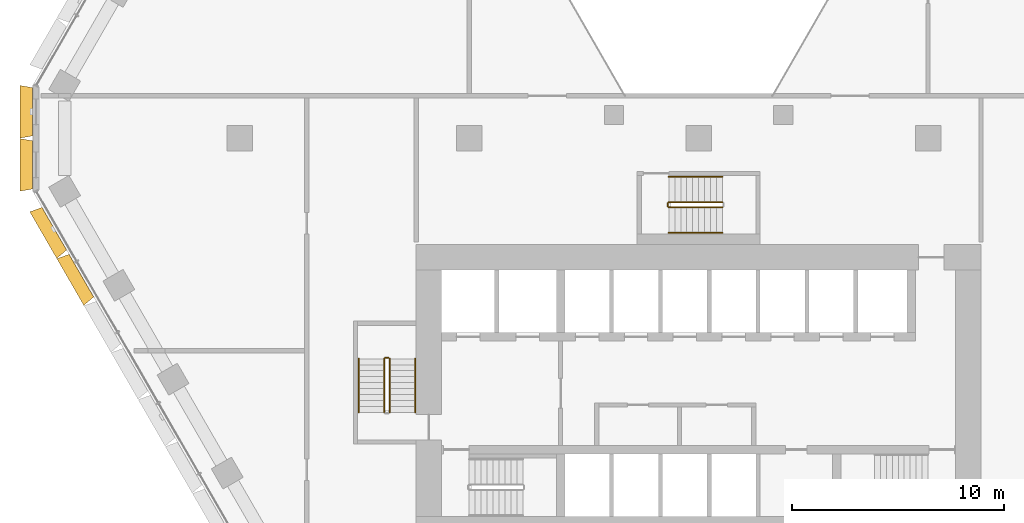
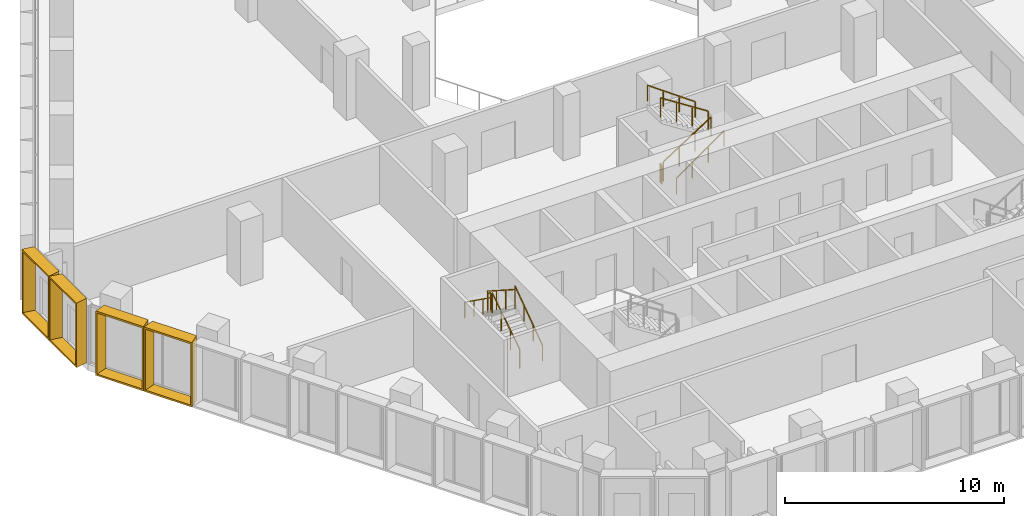
# One storey, part 23 of 25: 10 railings, 4 shading devices.
"""IFC4 building model written with IfcOpenShell, lengths in metres."""

from ifc_helpers import new_model, entity, si_unit, direction, frame, origin, origin_2d, place, context, subcontext, project, spatial, rectangle, extrude, source, transform, mapped, material, type_object, type_shapes, element, save


model = new_model("IFC4")

# Units and contexts
model_context = context("Model", 3, precision=1e-05, world=origin(), true_north=direction((0.0, 1.0)))
body_context = subcontext(model_context, "Body", "Model", "MODEL_VIEW")
ifc_project = project(units=[si_unit("LENGTHUNIT", "METRE"), si_unit("AREAUNIT", "SQUARE_METRE"), si_unit("VOLUMEUNIT", "CUBIC_METRE"), si_unit("PLANEANGLEUNIT", "RADIAN"), si_unit("MASSUNIT", "GRAM", prefix="KILO")], contexts=[model_context])

# Site, building, storey
site_placement = place(None, origin())
site = spatial("IfcSite", under=ifc_project, at=site_placement, CompositionType="ELEMENT")
building_placement = place(site_placement, origin())
building = spatial("IfcBuilding", under=site, at=building_placement, Name="Beryl Residences", CompositionType="ELEMENT")
storey_placement = place(building_placement, frame((0.0, 0.0, 16.199951171875)))
storey = spatial("IfcBuildingStorey", under=building, at=storey_placement, Name="L04", CompositionType="ELEMENT", Elevation=16.199951171875)

# Shading devices
ifc_material_1 = material(Name="Aluminium pale anodised", Category="aluminium")
shading_device_type_1 = type_object("IfcShadingDeviceType", Name="FR250-60A-H36 OUTER SKIN frame 600 mm deep, splay 10/10 deg, 2500 x 3600 mm cell", PredefinedType="USERDEFINED", material=ifc_material_1)
cartesian_point_1 = entity("IfcCartesianPoint", [-1.134033203125, 0.0])
cartesian_point_2 = entity("IfcCartesianPoint", [-1.052734375, 0.10009765625])
cartesian_point_3 = entity("IfcCartesianPoint", [-1.23974609375, 0.0])
cartesian_point_4 = entity("IfcCartesianPoint", [-1.158447265625, 0.10009765625])
shared_shape_1 = source(origin(), body_context, "Body", "SweptSolid", [
    entity("IfcExtrudedAreaSolidTapered", entity("IfcArbitraryProfileDefWithVoids", "AREA", None, entity("IfcPolyline", [cartesian_point_1, entity("IfcCartesianPoint", [1.134033203125, 0.0]), entity("IfcCartesianPoint", [1.134033203125, 3.60009765625]), entity("IfcCartesianPoint", [-1.134033203125, 3.60009765625]), cartesian_point_1]), [entity("IfcPolyline", [cartesian_point_2, entity("IfcCartesianPoint", [1.052734375, 0.10009765625]), entity("IfcCartesianPoint", [1.052734375, 3.5]), entity("IfcCartesianPoint", [-1.052734375, 3.5]), cartesian_point_2])]), entity("IfcAxis2Placement3D", entity("IfcCartesianPoint", [0.0, 0.0, 0.0]), entity("IfcDirection", [0.0, 1.0, 0.0]), entity("IfcDirection", [-1.0, 0.0, 0.0])), entity("IfcDirection", [0.0, 0.0, 1.0]), 0.60009765625, entity("IfcArbitraryProfileDefWithVoids", "AREA", None, entity("IfcPolyline", [cartesian_point_3, entity("IfcCartesianPoint", [1.23974609375, 0.0]), entity("IfcCartesianPoint", [1.23974609375, 3.60009765625]), entity("IfcCartesianPoint", [-1.23974609375, 3.60009765625]), cartesian_point_3]), [entity("IfcPolyline", [cartesian_point_4, entity("IfcCartesianPoint", [1.158447265625, 0.10009765625]), entity("IfcCartesianPoint", [1.158447265625, 3.5]), entity("IfcCartesianPoint", [-1.158447265625, 3.5]), cartesian_point_4])])),
])
type_shapes(shading_device_type_1, [shared_shape_1])
for number, where, z_axis, x_axis, name in (
    (1, (-31.35009765625, 1.25, 0.0), (0.0, 0.0, 1.0), (0.0, 1.0, 0.0), "FR250-60A-H36 frame L04 NW-SW 1"),
    (2, (-31.35009765625, -1.25, 0.0), (0.0, 0.0, 1.0), (0.0, 1.0, 0.0), "FR250-60A-H36 frame L04 NW-SW 2"),
):
    element("IfcShadingDevice", number, at=place(storey_placement, frame(where, z_axis=z_axis, x_axis=x_axis)), inside=storey, type_object=shading_device_type_1, Name=name, ObjectType="OUTER SKIN", PredefinedType="USERDEFINED", context=body_context, shape_type="MappedRepresentation", body=[
        mapped(shared_shape_1, transform((0.0, 0.0, 0.0))),
    ])
ifc_material_2 = material(Name="Aluminium pale anodised", Category="aluminium")
shading_device_type_2 = type_object("IfcShadingDeviceType", Name="FR255-60A-H36 OUTER SKIN frame 600 mm deep, splay 10/10 deg, 2550 x 3600 mm cell", PredefinedType="USERDEFINED", material=ifc_material_2)
cartesian_point_5 = entity("IfcCartesianPoint", [-1.158935546875, 0.0])
cartesian_point_6 = entity("IfcCartesianPoint", [-1.077880859375, 0.10009765625])
cartesian_point_7 = entity("IfcCartesianPoint", [-1.264892578125, 0.0])
cartesian_point_8 = entity("IfcCartesianPoint", [-1.18359375, 0.10009765625])
shared_shape_2 = source(origin(), body_context, "Body", "SweptSolid", [
    entity("IfcExtrudedAreaSolidTapered", entity("IfcArbitraryProfileDefWithVoids", "AREA", None, entity("IfcPolyline", [cartesian_point_5, entity("IfcCartesianPoint", [1.158935546875, 0.0]), entity("IfcCartesianPoint", [1.158935546875, 3.60009765625]), entity("IfcCartesianPoint", [-1.158935546875, 3.60009765625]), cartesian_point_5]), [entity("IfcPolyline", [cartesian_point_6, entity("IfcCartesianPoint", [1.077880859375, 0.10009765625]), entity("IfcCartesianPoint", [1.077880859375, 3.5]), entity("IfcCartesianPoint", [-1.077880859375, 3.5]), cartesian_point_6])]), entity("IfcAxis2Placement3D", entity("IfcCartesianPoint", [0.0, 0.0, 0.0]), entity("IfcDirection", [0.0, 1.0, 0.0]), entity("IfcDirection", [-1.0, 0.0, 0.0])), entity("IfcDirection", [0.0, 0.0, 1.0]), 0.60009765625, entity("IfcArbitraryProfileDefWithVoids", "AREA", None, entity("IfcPolyline", [cartesian_point_7, entity("IfcCartesianPoint", [1.264892578125, 0.0]), entity("IfcCartesianPoint", [1.264892578125, 3.60009765625]), entity("IfcCartesianPoint", [-1.264892578125, 3.60009765625]), cartesian_point_7]), [entity("IfcPolyline", [cartesian_point_8, entity("IfcCartesianPoint", [1.18359375, 0.10009765625]), entity("IfcCartesianPoint", [1.18359375, 3.5]), entity("IfcCartesianPoint", [-1.18359375, 3.5]), cartesian_point_8])])),
])
type_shapes(shading_device_type_2, [shared_shape_2])
for number, where, z_axis, x_axis, name in (
    (3, (-30.3359375, -4.2548828125, 0.0), (0.0, 0.0, 1.0), (-0.5, 0.866025403784, 0.0), "FR255-60A-H36 frame L04 SW 1"),
    (4, (-29.06005859375, -6.465087890625, 0.0), (0.0, 0.0, 1.0), (-0.5, 0.866025403784, 0.0), "FR255-60A-H36 frame L04 SW 2"),
):
    element("IfcShadingDevice", number, at=place(storey_placement, frame(where, z_axis=z_axis, x_axis=x_axis)), inside=storey, type_object=shading_device_type_2, Name=name, ObjectType="OUTER SKIN", PredefinedType="USERDEFINED", context=body_context, shape_type="MappedRepresentation", body=[
        mapped(shared_shape_2, transform((0.0, 0.0, 0.0))),
    ])

# Railings
ifc_material_3 = material(Name="Stainless steel balustrade with glass infill", Category="steel")
railing_type_1 = type_object("IfcRailingType", Name="SG1 stair guard 1100 mm", PredefinedType="GUARDRAIL", material=ifc_material_3)
railing_1_placement = place(storey_placement, frame((-14.550048828125, -12.89990234375, 0.179931640625)))
element("IfcRailing", 5, at=railing_1_placement, inside=storey, type_object=railing_type_1, Name="L04 ST-2 stair guard 1", PredefinedType="GUARDRAIL", context=body_context, shape_type="SweptSolid", body=[
    extrude(rectangle(XDim=0.048095703125, YDim=0.048095703125, at=origin_2d()), frame((0.0, 0.0, 1.076171875), z_axis=(0.0, 0.841162588446, 0.540782303519), x_axis=(-1.0, 0.0, 0.0)), (0.0, 0.0, 1.0), 2.995849609375),
    extrude(rectangle(XDim=0.0419921875, YDim=0.0419921875, at=origin_2d()), origin(), (0.0, 0.0, 1.0), 1.052001953125),
    extrude(rectangle(XDim=0.0419921875, YDim=0.0419921875, at=origin_2d()), frame((0.0, 0.840087890625, 0.5400390625)), (0.0, 0.0, 1.0), 1.052001953125),
    extrude(rectangle(XDim=0.0419921875, YDim=0.0419921875, at=origin_2d()), frame((0.0, 1.679931640625, 1.080078125)), (0.0, 0.0, 1.0), 1.052001953125),
    extrude(rectangle(XDim=0.0419921875, YDim=0.0419921875, at=origin_2d()), frame((0.0, 2.52001953125, 1.6201171875)), (0.0, 0.0, 1.0), 1.052001953125),
])
railing_2_placement = place(storey_placement, frame((-14.60009765625, -10.330078125, 1.800048828125)))
element("IfcRailing", 6, at=railing_2_placement, inside=storey, type_object=railing_type_1, Name="L04 ST-2 stair guard 2", PredefinedType="GUARDRAIL", context=body_context, shape_type="SweptSolid", body=[
    extrude(rectangle(XDim=0.048095703125, YDim=0.048095703125, at=origin_2d()), frame((0.0, 0.0, 1.076171875), z_axis=(-1.0, 0.0, 0.0), x_axis=(0.0, -1.0, 0.0)), (0.0, 0.0, 1.0), 0.14990234375),
    extrude(rectangle(XDim=0.0419921875, YDim=0.0419921875, at=origin_2d()), origin(), (0.0, 0.0, 1.0), 1.052001953125),
    extrude(rectangle(XDim=0.0419921875, YDim=0.0419921875, at=origin_2d()), frame((-0.14990234375, 0.0, 0.0)), (0.0, 0.0, 1.0), 1.052001953125),
])
railing_3_placement = place(storey_placement, frame((-14.800048828125, -10.3798828125, 1.97998046875)))
element("IfcRailing", 7, at=railing_3_placement, inside=storey, type_object=railing_type_1, Name="L04 ST-2 stair guard 3", PredefinedType="GUARDRAIL", context=body_context, shape_type="SweptSolid", body=[
    extrude(rectangle(XDim=0.048095703125, YDim=0.048095703125, at=origin_2d()), frame((0.0, 0.0, 1.076171875), z_axis=(0.0, -0.841162588446, 0.540782303519), x_axis=(1.0, 0.0, 0.0)), (0.0, 0.0, 1.0), 2.995849609375),
    extrude(rectangle(XDim=0.0419921875, YDim=0.0419921875, at=origin_2d()), origin(), (0.0, 0.0, 1.0), 1.052001953125),
    extrude(rectangle(XDim=0.0419921875, YDim=0.0419921875, at=origin_2d()), frame((0.0, -0.840087890625, 0.5400390625)), (0.0, 0.0, 1.0), 1.052001953125),
    extrude(rectangle(XDim=0.0419921875, YDim=0.0419921875, at=origin_2d()), frame((0.0, -1.679931640625, 1.080078125)), (0.0, 0.0, 1.0), 1.052001953125),
    extrude(rectangle(XDim=0.0419921875, YDim=0.0419921875, at=origin_2d()), frame((0.0, -2.52001953125, 1.6201171875)), (0.0, 0.0, 1.0), 1.052001953125),
])
railing_4_placement = place(storey_placement, frame((-1.39990234375, -3.25, 0.179931640625)))
element("IfcRailing", 8, at=railing_4_placement, inside=storey, type_object=railing_type_1, Name="L04 ST-4 stair guard 1", PredefinedType="GUARDRAIL", context=body_context, shape_type="SweptSolid", body=[
    extrude(rectangle(XDim=0.048095703125, YDim=0.048095703125, at=origin_2d()), frame((0.0, 0.0, 1.076171875), z_axis=(0.841162588446, 0.0, 0.540782303519), x_axis=(0.0, 1.0, 0.0)), (0.0, 0.0, 1.0), 2.995849609375),
    extrude(rectangle(XDim=0.0419921875, YDim=0.0419921875, at=origin_2d()), origin(), (0.0, 0.0, 1.0), 1.052001953125),
    extrude(rectangle(XDim=0.0419921875, YDim=0.0419921875, at=origin_2d()), frame((0.840087890625, 0.0, 0.5400390625)), (0.0, 0.0, 1.0), 1.052001953125),
    extrude(rectangle(XDim=0.0419921875, YDim=0.0419921875, at=origin_2d()), frame((1.679931640625, 0.0, 1.080078125)), (0.0, 0.0, 1.0), 1.052001953125),
    extrude(rectangle(XDim=0.0419921875, YDim=0.0419921875, at=origin_2d()), frame((2.52001953125, 0.0, 1.6201171875)), (0.0, 0.0, 1.0), 1.052001953125),
])
railing_5_placement = place(storey_placement, frame((1.1201171875, -3.0, 1.97998046875)))
element("IfcRailing", 9, at=railing_5_placement, inside=storey, type_object=railing_type_1, Name="L04 ST-4 stair guard 3", PredefinedType="GUARDRAIL", context=body_context, shape_type="SweptSolid", body=[
    extrude(rectangle(XDim=0.048095703125, YDim=0.048095703125, at=origin_2d()), frame((0.0, 0.0, 1.076171875), z_axis=(-0.841162588446, 0.0, 0.540782303519), x_axis=(0.0, -1.0, 0.0)), (0.0, 0.0, 1.0), 2.995849609375),
    extrude(rectangle(XDim=0.0419921875, YDim=0.0419921875, at=origin_2d()), origin(), (0.0, 0.0, 1.0), 1.052001953125),
    extrude(rectangle(XDim=0.0419921875, YDim=0.0419921875, at=origin_2d()), frame((-0.840087890625, 0.0, 0.5400390625)), (0.0, 0.0, 1.0), 1.052001953125),
    extrude(rectangle(XDim=0.0419921875, YDim=0.0419921875, at=origin_2d()), frame((-1.679931640625, 0.0, 1.080078125)), (0.0, 0.0, 1.0), 1.052001953125),
    extrude(rectangle(XDim=0.0419921875, YDim=0.0419921875, at=origin_2d()), frame((-2.52001953125, 0.0, 1.6201171875)), (0.0, 0.0, 1.0), 1.052001953125),
])
railing_6_placement = place(storey_placement, frame((-1.449951171875, -3.199951171875, 0.0)))
element("IfcRailing", 10, at=railing_6_placement, inside=storey, type_object=railing_type_1, Name="L04 ST-4 stair guard 4", PredefinedType="GUARDRAIL", context=body_context, shape_type="SweptSolid", body=[
    extrude(rectangle(XDim=0.048095703125, YDim=0.048095703125, at=origin_2d()), frame((0.0, 0.0, 1.076171875), z_axis=(0.0, 1.0, 0.0), x_axis=(-1.0, 0.0, 0.0)), (0.0, 0.0, 1.0), 0.14990234375),
    extrude(rectangle(XDim=0.0419921875, YDim=0.0419921875, at=origin_2d()), origin(), (0.0, 0.0, 1.0), 1.052001953125),
    extrude(rectangle(XDim=0.0419921875, YDim=0.0419921875, at=origin_2d()), frame((0.0, 0.14990234375, 0.0)), (0.0, 0.0, 1.0), 1.052001953125),
])
ifc_material_4 = material(Name="Stainless steel handrail", Category="steel")
railing_type_2 = type_object("IfcRailingType", Name="SRL1 stair handrail 900 mm", PredefinedType="HANDRAIL", material=ifc_material_4)
railing_7_placement = place(storey_placement, frame((-13.35009765625, -12.89990234375, 0.179931640625)))
element("IfcRailing", 11, at=railing_7_placement, inside=storey, type_object=railing_type_2, Name="L04 ST-2 stair handrail 1", PredefinedType="HANDRAIL", context=body_context, shape_type="SweptSolid", body=[
    extrude(rectangle(XDim=0.048095703125, YDim=0.048095703125, at=origin_2d()), frame((0.0, 0.0, 0.8759765625), z_axis=(0.0, 0.813728144527, 0.581245650998), x_axis=(-1.0, 0.0, 0.0)), (0.0, 0.0, 1.0), 3.096923828125),
    extrude(rectangle(XDim=0.0419921875, YDim=0.0419921875, at=origin_2d()), origin(), (0.0, 0.0, 1.0), 0.851806640625),
    extrude(rectangle(XDim=0.0419921875, YDim=0.0419921875, at=origin_2d()), frame((0.0, 0.840087890625, 0.60009765625)), (0.0, 0.0, 1.0), 0.851806640625),
    extrude(rectangle(XDim=0.0419921875, YDim=0.0419921875, at=origin_2d()), frame((0.0, 1.679931640625, 1.199951171875)), (0.0, 0.0, 1.0), 0.851806640625),
    extrude(rectangle(XDim=0.0419921875, YDim=0.0419921875, at=origin_2d()), frame((0.0, 2.52001953125, 1.800048828125)), (0.0, 0.0, 1.0), 0.851806640625),
])
railing_8_placement = place(storey_placement, frame((-16.0, -10.3798828125, 1.97998046875)))
element("IfcRailing", 12, at=railing_8_placement, inside=storey, type_object=railing_type_2, Name="L04 ST-2 stair handrail 2", PredefinedType="HANDRAIL", context=body_context, shape_type="SweptSolid", body=[
    extrude(rectangle(XDim=0.048095703125, YDim=0.048095703125, at=origin_2d()), frame((0.0, 0.0, 0.8759765625), z_axis=(0.0, -0.813728144527, 0.581245650998), x_axis=(1.0, 0.0, 0.0)), (0.0, 0.0, 1.0), 3.096923828125),
    extrude(rectangle(XDim=0.0419921875, YDim=0.0419921875, at=origin_2d()), origin(), (0.0, 0.0, 1.0), 0.851806640625),
    extrude(rectangle(XDim=0.0419921875, YDim=0.0419921875, at=origin_2d()), frame((0.0, -0.840087890625, 0.60009765625)), (0.0, 0.0, 1.0), 0.851806640625),
    extrude(rectangle(XDim=0.0419921875, YDim=0.0419921875, at=origin_2d()), frame((0.0, -1.679931640625, 1.199951171875)), (0.0, 0.0, 1.0), 0.851806640625),
    extrude(rectangle(XDim=0.0419921875, YDim=0.0419921875, at=origin_2d()), frame((0.0, -2.52001953125, 1.800048828125)), (0.0, 0.0, 1.0), 0.851806640625),
])
railing_9_placement = place(storey_placement, frame((-1.39990234375, -4.449951171875, 0.179931640625)))
element("IfcRailing", 13, at=railing_9_placement, inside=storey, type_object=railing_type_2, Name="L04 ST-4 stair handrail 1", PredefinedType="HANDRAIL", context=body_context, shape_type="SweptSolid", body=[
    extrude(rectangle(XDim=0.048095703125, YDim=0.048095703125, at=origin_2d()), frame((0.0, 0.0, 0.8759765625), z_axis=(0.813728144527, 0.0, 0.581245650998), x_axis=(0.0, 1.0, 0.0)), (0.0, 0.0, 1.0), 3.096923828125),
    extrude(rectangle(XDim=0.0419921875, YDim=0.0419921875, at=origin_2d()), origin(), (0.0, 0.0, 1.0), 0.851806640625),
    extrude(rectangle(XDim=0.0419921875, YDim=0.0419921875, at=origin_2d()), frame((0.840087890625, 0.0, 0.60009765625)), (0.0, 0.0, 1.0), 0.851806640625),
    extrude(rectangle(XDim=0.0419921875, YDim=0.0419921875, at=origin_2d()), frame((1.679931640625, 0.0, 1.199951171875)), (0.0, 0.0, 1.0), 0.851806640625),
    extrude(rectangle(XDim=0.0419921875, YDim=0.0419921875, at=origin_2d()), frame((2.52001953125, 0.0, 1.800048828125)), (0.0, 0.0, 1.0), 0.851806640625),
])
railing_10_placement = place(storey_placement, frame((1.1201171875, -1.800048828125, 1.97998046875)))
element("IfcRailing", 14, at=railing_10_placement, inside=storey, type_object=railing_type_2, Name="L04 ST-4 stair handrail 2", PredefinedType="HANDRAIL", context=body_context, shape_type="SweptSolid", body=[
    extrude(rectangle(XDim=0.048095703125, YDim=0.048095703125, at=origin_2d()), frame((0.0, 0.0, 0.8759765625), z_axis=(-0.813728144527, 0.0, 0.581245650998), x_axis=(0.0, -1.0, 0.0)), (0.0, 0.0, 1.0), 3.096923828125),
    extrude(rectangle(XDim=0.0419921875, YDim=0.0419921875, at=origin_2d()), origin(), (0.0, 0.0, 1.0), 0.851806640625),
    extrude(rectangle(XDim=0.0419921875, YDim=0.0419921875, at=origin_2d()), frame((-0.840087890625, 0.0, 0.60009765625)), (0.0, 0.0, 1.0), 0.851806640625),
    extrude(rectangle(XDim=0.0419921875, YDim=0.0419921875, at=origin_2d()), frame((-1.679931640625, 0.0, 1.199951171875)), (0.0, 0.0, 1.0), 0.851806640625),
    extrude(rectangle(XDim=0.0419921875, YDim=0.0419921875, at=origin_2d()), frame((-2.52001953125, 0.0, 1.800048828125)), (0.0, 0.0, 1.0), 0.851806640625),
])

save(model, "model.ifc")
